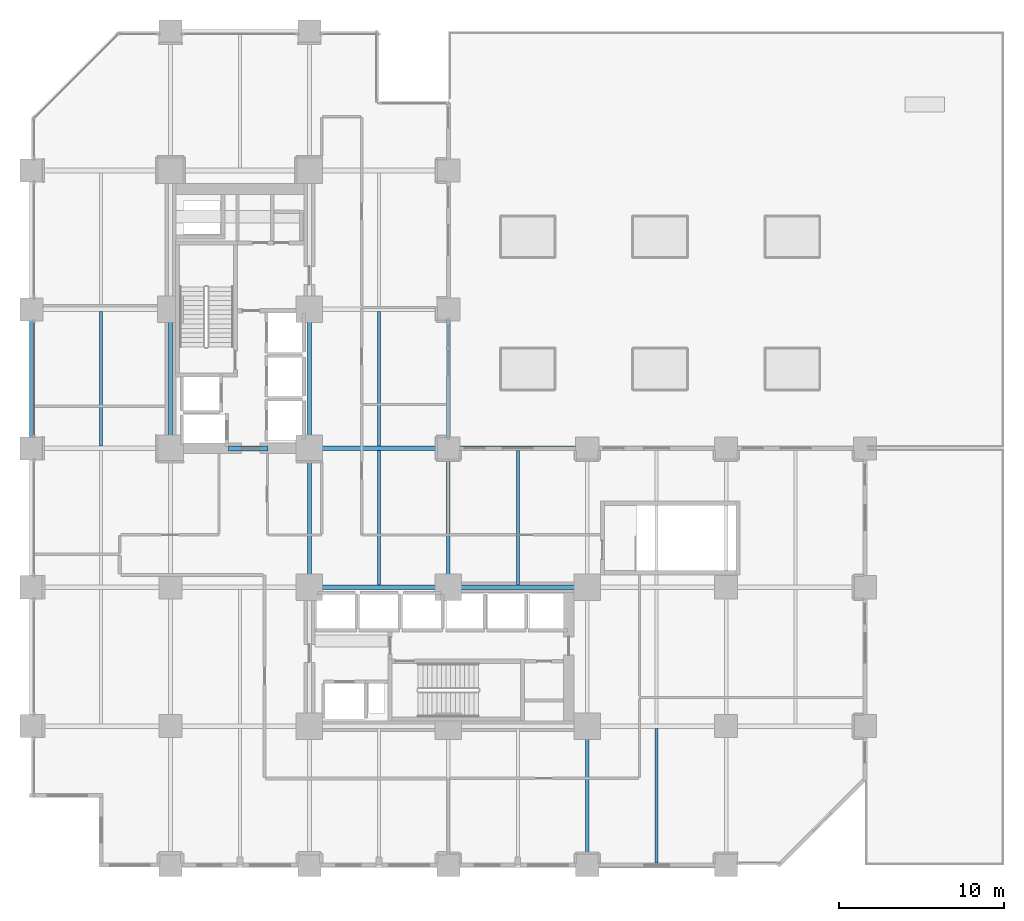
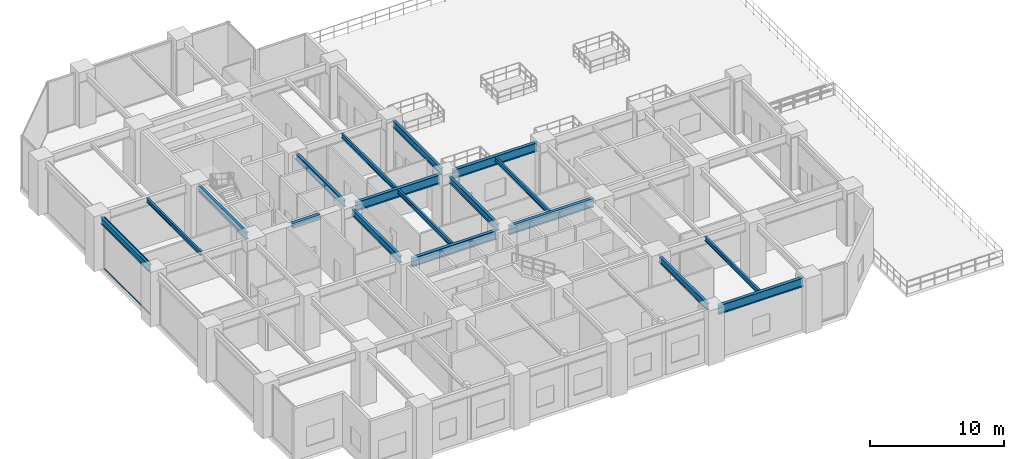
# One storey, part 5 of 21: 18 beams, 2 members, 1 element without a shape of its own.
"""IFC4 building model written with IfcOpenShell, lengths in metres."""

from ifc_helpers import new_model, si_unit, direction, frame, origin, origin_2d, place, context, subcontext, project, spatial, rectangle, hollow_rectangle, i_section, extrude, material, layer, layer_set, material_profile, profile_set, type_object, element, aggregate, save


model = new_model("IFC4")

# Units and contexts
model_context = context("Model", 3, precision=1e-05, world=origin(), true_north=direction((0.0, 1.0)))
body_context = subcontext(model_context, "Body", "Model", "MODEL_VIEW")
ifc_project = project(units=[si_unit("LENGTHUNIT", "METRE"), si_unit("AREAUNIT", "SQUARE_METRE"), si_unit("VOLUMEUNIT", "CUBIC_METRE"), si_unit("PLANEANGLEUNIT", "RADIAN"), si_unit("MASSUNIT", "GRAM", prefix="KILO")], contexts=[model_context])

# Site, building, storey
site_placement = place(None, origin())
site = spatial("IfcSite", under=ifc_project, at=site_placement, CompositionType="ELEMENT")
building_placement = place(site_placement, origin())
building = spatial("IfcBuilding", under=site, at=building_placement, Name="Nerrivon Quay Data Exchange", CompositionType="ELEMENT")
storey_placement = place(building_placement, frame((0.0, 0.0, 19.800048828125)))
storey = spatial("IfcBuildingStorey", under=building, at=storey_placement, Name="L04", CompositionType="ELEMENT", Elevation=19.800048828125)

# Beams
ifc_material_1 = material(Name="Steel Grade 350", Category="steel")
ifc_material_profile_1 = material_profile(ifc_material_1, i_section(OverallWidth=0.22900390625, OverallDepth=0.612060546875, WebThickness=0.011962890625, FlangeThickness=0.01953125, FilletRadius=0.013916015625, at=origin_2d()), Name="610UB125")
ifc_profile_set_1 = profile_set([ifc_material_profile_1], Name="Steel Grade 350")
beam_type_1 = type_object("IfcBeamType", Name="BM-G1-610UB125", PredefinedType="BEAM", material=ifc_profile_set_1)
for number, where, z_axis, x_axis, name in (
    (1, (0.0, 25.739990234375, 4.4189453125), (0.0, 1.0, 0.0), (-1.0, 0.0, 0.0), "L04 NS Girder X=0.0 (25.2..33.6)"),
    (2, (8.39990234375, 25.739990234375, 4.4189453125), (0.0, 1.0, 0.0), (-1.0, 0.0, 0.0), "L04 NS Girder X=8.4 (25.2..33.6)"),
):
    element("IfcBeam", number, at=place(storey_placement, frame(where, z_axis=z_axis, x_axis=x_axis)), inside=storey, type_object=beam_type_1, Name=name, PredefinedType="BEAM", context=body_context, shape_type="SweptSolid", body=[
        extrude(i_section(OverallWidth=0.22900390625, OverallDepth=0.612060546875, WebThickness=0.011962890625, FlangeThickness=0.01953125, FilletRadius=0.013916015625, at=origin_2d()), origin(), (0.0, 0.0, 1.0), 7.320068359375),
    ])
beam_1_placement = place(storey_placement, frame((16.800048828125, 17.340087890625, 4.4189453125), z_axis=(0.0, 1.0, 0.0), x_axis=(-1.0, 0.0, 0.0)))
element("IfcBeam", 3, at=beam_1_placement, inside=storey, type_object=beam_type_1, Name="L04 NS Girder X=16.8 (16.8..25.2)", PredefinedType="BEAM", context=body_context, shape_type="SweptSolid", body=[
    extrude(i_section(OverallWidth=0.22900390625, OverallDepth=0.612060546875, WebThickness=0.011962890625, FlangeThickness=0.01953125, FilletRadius=0.013916015625, at=origin_2d()), origin(), (0.0, 0.0, 1.0), 7.31982421875),
])
beam_2_placement = place(storey_placement, frame((16.800048828125, 25.739990234375, 4.4189453125), z_axis=(0.0, 1.0, 0.0), x_axis=(-1.0, 0.0, 0.0)))
element("IfcBeam", 4, at=beam_2_placement, inside=storey, type_object=beam_type_1, Name="L04 NS Girder X=16.8 (25.2..33.6)", PredefinedType="BEAM", context=body_context, shape_type="SweptSolid", body=[
    extrude(i_section(OverallWidth=0.22900390625, OverallDepth=0.612060546875, WebThickness=0.011962890625, FlangeThickness=0.01953125, FilletRadius=0.013916015625, at=origin_2d()), origin(), (0.0, 0.0, 1.0), 7.320068359375),
])
beam_3_placement = place(storey_placement, frame((25.199951171875, 17.340087890625, 4.4189453125), z_axis=(0.0, 1.0, 0.0), x_axis=(-1.0, 0.0, 0.0)))
element("IfcBeam", 5, at=beam_3_placement, inside=storey, type_object=beam_type_1, Name="L04 NS Girder X=25.2 (16.8..25.2)", PredefinedType="BEAM", context=body_context, shape_type="SweptSolid", body=[
    extrude(i_section(OverallWidth=0.22900390625, OverallDepth=0.612060546875, WebThickness=0.011962890625, FlangeThickness=0.01953125, FilletRadius=0.013916015625, at=origin_2d()), origin(), (0.0, 0.0, 1.0), 7.31982421875),
])
for number, where, z_axis, x_axis, name in (
    (6, (25.199951171875, 25.739990234375, 4.4189453125), (0.0, 1.0, 0.0), (-1.0, 0.0, 0.0), "L04 NS Girder X=25.2 (25.2..33.6)"),
    (7, (33.60009765625, 0.5400390625, 4.4189453125), (0.0, 1.0, 0.0), (-1.0, 0.0, 0.0), "L04 NS Girder X=33.6 (0.0..8.4)"),
):
    element("IfcBeam", number, at=place(storey_placement, frame(where, z_axis=z_axis, x_axis=x_axis)), inside=storey, type_object=beam_type_1, Name=name, PredefinedType="BEAM", context=body_context, shape_type="SweptSolid", body=[
        extrude(i_section(OverallWidth=0.22900390625, OverallDepth=0.612060546875, WebThickness=0.011962890625, FlangeThickness=0.01953125, FilletRadius=0.013916015625, at=origin_2d()), origin(), (0.0, 0.0, 1.0), 7.320068359375),
    ])
ifc_material_profile_2 = material_profile(ifc_material_1, i_section(OverallWidth=0.27490234375, OverallDepth=0.800048828125, WebThickness=0.010009765625, FlangeThickness=0.02001953125, at=origin_2d()), Name="800WB146")
ifc_profile_set_2 = profile_set([ifc_material_profile_2], Name="Steel Grade 350")
beam_type_2 = type_object("IfcBeamType", Name="BM-G8-800WB146", PredefinedType="BEAM", material=ifc_profile_set_2)
beam_4_placement = place(storey_placement, frame((34.139892578125, 0.0, 4.324951171875), z_axis=(1.0, 0.0, 0.0), x_axis=(0.0, 1.0, 0.0)))
element("IfcBeam", 8, at=beam_4_placement, inside=storey, type_object=beam_type_2, Name="L04 EW Girder Y=0.0 (33.6..42.0)", PredefinedType="BEAM", context=body_context, shape_type="SweptSolid", body=[
    extrude(i_section(OverallWidth=0.27490234375, OverallDepth=0.800048828125, WebThickness=0.010009765625, FlangeThickness=0.02001953125, at=origin_2d()), origin(), (0.0, 0.0, 1.0), 7.320068359375),
])
beam_5_placement = place(storey_placement, frame((17.340087890625, 16.800048828125, 4.324951171875), z_axis=(1.0, 0.0, 0.0), x_axis=(0.0, 1.0, 0.0)))
element("IfcBeam", 9, at=beam_5_placement, inside=storey, type_object=beam_type_2, Name="L04 EW Girder Y=16.8 (16.8..25.2)", PredefinedType="BEAM", context=body_context, shape_type="SweptSolid", body=[
    extrude(i_section(OverallWidth=0.27490234375, OverallDepth=0.800048828125, WebThickness=0.010009765625, FlangeThickness=0.02001953125, at=origin_2d()), origin(), (0.0, 0.0, 1.0), 7.31982421875),
])
beam_6_placement = place(storey_placement, frame((25.739990234375, 16.800048828125, 4.324951171875), z_axis=(1.0, 0.0, 0.0), x_axis=(0.0, 1.0, 0.0)))
element("IfcBeam", 10, at=beam_6_placement, inside=storey, type_object=beam_type_2, Name="L04 EW Girder Y=16.8 (25.2..33.6)", PredefinedType="BEAM", context=body_context, shape_type="SweptSolid", body=[
    extrude(i_section(OverallWidth=0.27490234375, OverallDepth=0.800048828125, WebThickness=0.010009765625, FlangeThickness=0.02001953125, at=origin_2d()), origin(), (0.0, 0.0, 1.0), 7.320068359375),
])
beam_7_placement = place(storey_placement, frame((17.340087890625, 25.199951171875, 4.324951171875), z_axis=(1.0, 0.0, 0.0), x_axis=(0.0, 1.0, 0.0)))
element("IfcBeam", 11, at=beam_7_placement, inside=storey, type_object=beam_type_2, Name="L04 EW Girder Y=25.2 (16.8..25.2)", PredefinedType="BEAM", context=body_context, shape_type="SweptSolid", body=[
    extrude(i_section(OverallWidth=0.27490234375, OverallDepth=0.800048828125, WebThickness=0.010009765625, FlangeThickness=0.02001953125, at=origin_2d()), origin(), (0.0, 0.0, 1.0), 7.31982421875),
])
beam_8_placement = place(storey_placement, frame((25.739990234375, 25.199951171875, 4.324951171875), z_axis=(1.0, 0.0, 0.0), x_axis=(0.0, 1.0, 0.0)))
element("IfcBeam", 12, at=beam_8_placement, inside=storey, type_object=beam_type_2, Name="L04 EW Girder Y=25.2 (25.2..33.6)", PredefinedType="BEAM", context=body_context, shape_type="SweptSolid", body=[
    extrude(i_section(OverallWidth=0.27490234375, OverallDepth=0.800048828125, WebThickness=0.010009765625, FlangeThickness=0.02001953125, at=origin_2d()), origin(), (0.0, 0.0, 1.0), 7.320068359375),
])
ifc_material_profile_3 = material_profile(ifc_material_1, i_section(OverallWidth=0.177978515625, OverallDepth=0.403076171875, WebThickness=0.007568359375, FlangeThickness=0.010986328125, FilletRadius=0.011474609375, at=origin_2d()), Name="410UB53.7")
ifc_profile_set_3 = profile_set([ifc_material_profile_3], Name="Steel Grade 350")
beam_type_3 = type_object("IfcBeamType", Name="BM-J2-410UB54", PredefinedType="JOIST", material=ifc_profile_set_3)
for number, where, z_axis, x_axis, name in (
    (13, (4.199951171875, 25.33740234375, 4.5234375), (0.0, 1.0, 0.0), (-1.0, 0.0, 0.0), "L04 Secondary Joist X=4.2 (25.2..33.6)"),
    (14, (21.0, 16.9375, 4.5234375), (0.0, 1.0, 0.0), (-1.0, 0.0, 0.0), "L04 Secondary Joist X=21.0 (16.8..25.2)"),
    (15, (21.0, 25.33740234375, 4.5234375), (0.0, 1.0, 0.0), (-1.0, 0.0, 0.0), "L04 Secondary Joist X=21.0 (25.2..33.6)"),
    (16, (29.39990234375, 16.9375, 4.5234375), (0.0, 1.0, 0.0), (-1.0, 0.0, 0.0), "L04 Secondary Joist X=29.4 (16.8..25.2)"),
    (17, (37.800048828125, 0.137451171875, 4.5234375), (0.0, 1.0, 0.0), (-1.0, 0.0, 0.0), "L04 Secondary Joist X=37.8 (0.0..8.4)"),
):
    element("IfcBeam", number, at=place(storey_placement, frame(where, z_axis=z_axis, x_axis=x_axis)), inside=storey, type_object=beam_type_3, Name=name, PredefinedType="JOIST", context=body_context, shape_type="SweptSolid", body=[
        extrude(i_section(OverallWidth=0.177978515625, OverallDepth=0.403076171875, WebThickness=0.007568359375, FlangeThickness=0.010986328125, FilletRadius=0.011474609375, at=origin_2d()), origin(), (0.0, 0.0, 1.0), 8.125),
    ])
ifc_material_2 = material(Name="Concrete N50 (50 MPa)", Category="concrete")
ifc_material_profile_4 = material_profile(ifc_material_2, rectangle(XDim=0.300048828125, YDim=0.449951171875, at=origin_2d()), Name="RC-LNT-300x450")
ifc_profile_set_4 = profile_set([ifc_material_profile_4], Name="Concrete N50 (50 MPa)")
beam_type_4 = type_object("IfcBeamType", Name="BM-LNT-300x450", PredefinedType="LINTEL", material=ifc_profile_set_4)
beam_9_placement = place(storey_placement, frame((11.89990234375, 25.199951171875, 4.5), z_axis=(1.0, 0.0, 0.0), x_axis=(0.0, 1.0, 0.0)))
element("IfcBeam", 18, at=beam_9_placement, inside=storey, type_object=beam_type_4, Name="L04 Core Threshold RC Lintel", PredefinedType="LINTEL", context=body_context, shape_type="SweptSolid", body=[
    extrude(rectangle(XDim=0.300048828125, YDim=0.449951171875, at=origin_2d()), origin(), (0.0, 0.0, 1.0), 2.400146484375),
])

# Curtain wall, members
ifc_material_3 = material(Name="Anodised aluminium 6063-T6", Category="aluminium")
ifc_layer = layer(ifc_material_3, 0.239990234375)
ifc_layer_set = layer_set([ifc_layer], Name="Anodised aluminium 6063-T6")
curtain_wall_type = type_object("IfcCurtainWallType", Name="CW-SYS-03", PredefinedType="NOTDEFINED", material=ifc_layer_set)
curtain_wall_placement = place(storey_placement, origin())
curtain_wall = element("IfcCurtainWall", 19, at=curtain_wall_placement, inside=storey, type_object=curtain_wall_type, Name="L04 Unitised Curtain Wall 16", PredefinedType="NOTDEFINED")
ifc_material_profile_5 = material_profile(ifc_material_3, hollow_rectangle(XDim=0.06494140625, YDim=0.14990234375, WallThickness=0.00341796875, at=origin_2d()), Name="ALU-TRAN-150x65")
ifc_profile_set_5 = profile_set([ifc_material_profile_5], Name="Anodised aluminium 6063-T6")
member_type = type_object("IfcMemberType", Name="CWT-150x65", PredefinedType="USERDEFINED", material=ifc_profile_set_5)
member_1_placement = place(storey_placement, frame((0.139892578125, 25.97509765625, 0.032470703125), z_axis=(0.0, 1.0, 0.0), x_axis=(-1.0, 0.0, 0.0)))
member_1 = element("IfcMember", 20, at=member_1_placement, type_object=member_type, Name="CW03 transom 1.1", ObjectType="TRANSOM", PredefinedType="USERDEFINED", context=body_context, shape_type="SweptSolid", body=[
    extrude(hollow_rectangle(XDim=0.06494140625, YDim=0.14990234375, WallThickness=0.00341796875, at=origin_2d()), origin(), (0.0, 0.0, 1.0), 6.849853515625),
])
member_2_placement = place(storey_placement, frame((0.139892578125, 25.97509765625, 4.6923828125), z_axis=(0.0, 1.0, 0.0), x_axis=(-1.0, 0.0, 0.0)))
member_2 = element("IfcMember", 21, at=member_2_placement, type_object=member_type, Name="CW03 transom 1.2", ObjectType="TRANSOM", PredefinedType="USERDEFINED", context=body_context, shape_type="SweptSolid", body=[
    extrude(hollow_rectangle(XDim=0.06494140625, YDim=0.14990234375, WallThickness=0.00341796875, at=origin_2d()), origin(), (0.0, 0.0, 1.0), 6.849853515625),
])
aggregate(curtain_wall, [member_1, member_2])

save(model, "model.ifc")
